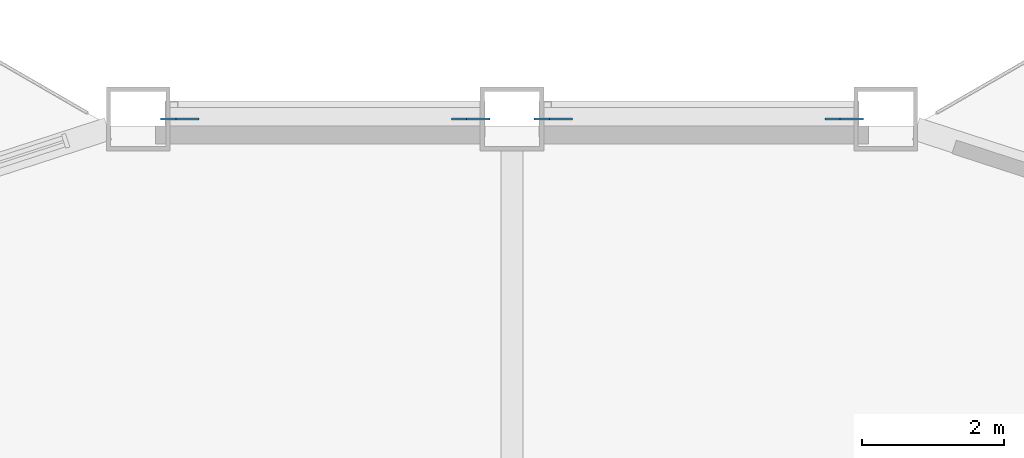
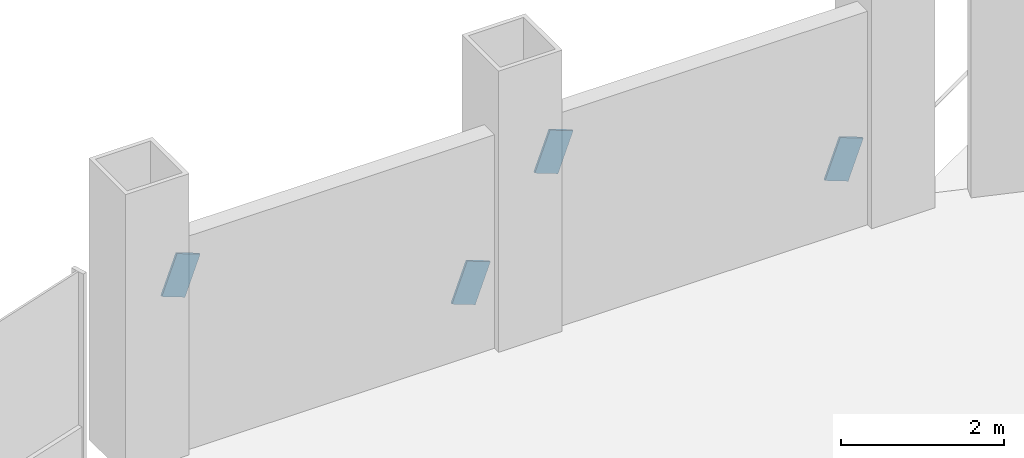
# One storey, part 16 of 21: 4 discrete accessories.
"""IFC4 building model written with IfcOpenShell, lengths in metres."""

from ifc_helpers import new_model, si_unit, direction, frame, origin, origin_2d, place, context, subcontext, project, spatial, rectangle, extrude, material, material_profile, profile_set, type_object, element, save


model = new_model("IFC4")

# Units and contexts
model_context = context("Model", 3, precision=1e-05, world=origin(), true_north=direction((0.0, 1.0)))
body_context = subcontext(model_context, "Body", "Model", "MODEL_VIEW")
ifc_project = project(units=[si_unit("LENGTHUNIT", "METRE"), si_unit("AREAUNIT", "SQUARE_METRE"), si_unit("VOLUMEUNIT", "CUBIC_METRE"), si_unit("PLANEANGLEUNIT", "RADIAN"), si_unit("MASSUNIT", "GRAM", prefix="KILO")], contexts=[model_context])

# Site, building, storey
site_placement = place(None, origin())
site = spatial("IfcSite", under=ifc_project, at=site_placement, CompositionType="ELEMENT")
building_placement = place(site_placement, origin())
building = spatial("IfcBuilding", under=site, at=building_placement, Name="Cormorant Prow Tower", CompositionType="ELEMENT")
storey_placement = place(building_placement, frame((0.0, 0.0, 133.199951171875)))
storey = spatial("IfcBuildingStorey", under=building, at=storey_placement, Name="L28", CompositionType="ELEMENT", Elevation=133.199951171875)

# Discrete accessories
ifc_material = material(Name="Structural steel ASTM A500 Gr C", Category="steel")
ifc_material_profile = material_profile(ifc_material, rectangle(XDim=0.031982421875, YDim=0.60791015625, at=origin_2d()), Name="Gusset plate 32x608")
ifc_profile_set = profile_set([ifc_material_profile], Name="Structural steel ASTM A500 Gr C")
discrete_accessory_type = type_object("IfcDiscreteAccessoryType", Name="Gusset plate 32x608", PredefinedType="BRACKET", material=ifc_profile_set)
discrete_accessory_1_placement = place(storey_placement, frame((4.521240234375, 32.487060546875, 0.882568359375), z_axis=(0.935610415408, 0.0, -0.353034205963), x_axis=(0.0, 1.0, 0.0)))
element("IfcDiscreteAccessory", 1, at=discrete_accessory_1_placement, inside=storey, type_object=discrete_accessory_type, Name="Gusset plate GP1 L28.N00.g0", PredefinedType="BRACKET", context=body_context, shape_type="SweptSolid", body=[
    extrude(rectangle(XDim=0.031982421875, YDim=0.60791015625, at=origin_2d()), origin(), (0.0, 0.0, 1.0), 0.349853515625),
])
for number, where, z_axis, x_axis, name in (
    (2, (0.74853515625, 32.487060546875, 2.306396484375), (-0.935697286394, 0.0, 0.35280389487), (0.0, -1.0, 0.0), "Gusset plate GP1 L28.N00.g1"),
    (3, (-0.74853515625, 32.487060546875, 0.882568359375), (0.935697286394, 0.0, -0.35280389487), (0.0, 1.0, 0.0), "Gusset plate GP1 L28.N01.g0"),
):
    element("IfcDiscreteAccessory", number, at=place(storey_placement, frame(where, z_axis=z_axis, x_axis=x_axis)), inside=storey, type_object=discrete_accessory_type, Name=name, PredefinedType="BRACKET", context=body_context, shape_type="SweptSolid", body=[
        extrude(rectangle(XDim=0.031982421875, YDim=0.60791015625, at=origin_2d()), origin(), (0.0, 0.0, 1.0), 0.35009765625),
    ])
discrete_accessory_2_placement = place(storey_placement, frame((-4.521240234375, 32.487060546875, 2.306396484375), z_axis=(-0.935610415408, 0.0, 0.353034205963), x_axis=(0.0, -1.0, 0.0)))
element("IfcDiscreteAccessory", 4, at=discrete_accessory_2_placement, inside=storey, type_object=discrete_accessory_type, Name="Gusset plate GP1 L28.N01.g1", PredefinedType="BRACKET", context=body_context, shape_type="SweptSolid", body=[
    extrude(rectangle(XDim=0.031982421875, YDim=0.60791015625, at=origin_2d()), origin(), (0.0, 0.0, 1.0), 0.349853515625),
])

save(model, "model.ifc")
